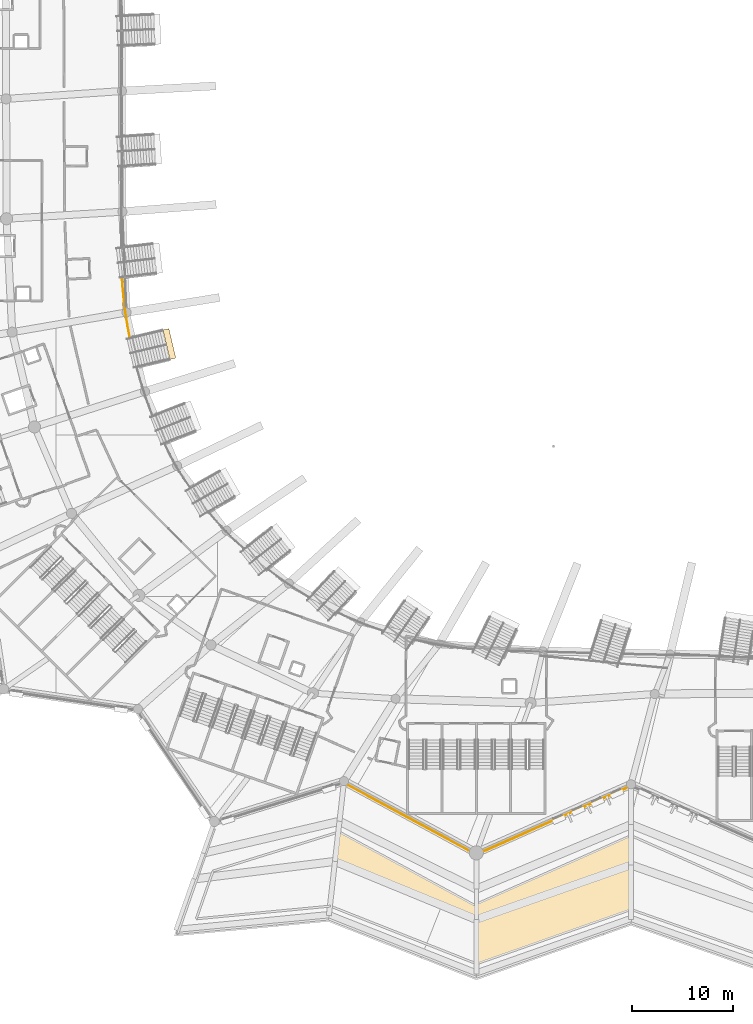
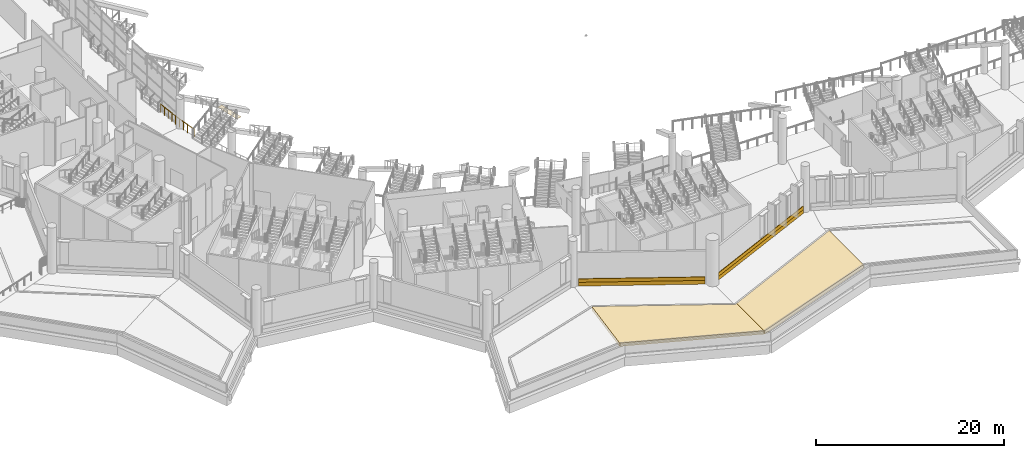
# One storey, part 115 of 173: 7 coverings, 1 railing.
"""IFC4 building model written with IfcOpenShell, lengths in metres."""

from ifc_helpers import new_model, si_unit, direction, frame, origin, origin_2d, place, context, subcontext, project, spatial, polyline, rectangle, circle, outline, extrude, material, layer, layer_set, type_object, element, save


model = new_model("IFC4")

# Units and contexts
model_context = context("Model", 3, precision=1e-05, world=origin(), true_north=direction((0.0, 1.0)))
body_context = subcontext(model_context, "Body", "Model", "MODEL_VIEW")
ifc_project = project(units=[si_unit("LENGTHUNIT", "METRE"), si_unit("AREAUNIT", "SQUARE_METRE"), si_unit("VOLUMEUNIT", "CUBIC_METRE"), si_unit("PLANEANGLEUNIT", "RADIAN"), si_unit("MASSUNIT", "GRAM", prefix="KILO")], contexts=[model_context])

# Site, building, storey
site_placement = place(None, origin())
site = spatial("IfcSite", under=ifc_project, at=site_placement, CompositionType="ELEMENT")
building_placement = place(site_placement, origin())
building = spatial("IfcBuilding", under=site, at=building_placement, Name="Meseta Stadium", CompositionType="ELEMENT")
storey_placement = place(building_placement, frame((0.0, 0.0, 18.0)))
storey = spatial("IfcBuildingStorey", under=building, at=storey_placement, Name="L03", CompositionType="ELEMENT", Elevation=18.0)

# Coverings
ifc_material_1 = material(Name="Guadarrama granite cladding", Category="masonry")
ifc_layer_1 = layer(ifc_material_1, 0.06005859375)
ifc_layer_set_1 = layer_set([ifc_layer_1], Name="Granite plinth cladding 60")
covering_type_1 = type_object("IfcCoveringType", Name="Granite plinth cladding 60", PredefinedType="CLADDING", material=ifc_layer_set_1)
covering_1_placement = place(storey_placement, frame((-45.071044921875, -101.923828125, 0.0), z_axis=(0.0, 0.0, 1.0), x_axis=(-0.879141700714, 0.476560457933, 0.0)))
element("IfcCovering", 1, at=covering_1_placement, inside=storey, type_object=covering_type_1, Name="Granite plinth L03 F43", PredefinedType="CLADDING", context=body_context, shape_type="SweptSolid", body=[
    extrude(rectangle(XDim=13.5205078125, YDim=0.06005859375, at=origin_2d()), origin(), (0.0, 0.0, 1.0), 0.5),
])
covering_2_placement = place(storey_placement, frame((-30.48974609375, -102.091064453125, 0.0), z_axis=(0.0, 0.0, 1.0), x_axis=(-0.914139367606, -0.405400069798, 0.0)))
element("IfcCovering", 2, at=covering_2_placement, inside=storey, type_object=covering_type_1, Name="Granite plinth L03 F44", PredefinedType="CLADDING", context=body_context, shape_type="SweptSolid", body=[
    extrude(rectangle(XDim=15.384521484375, YDim=0.06005859375, at=origin_2d()), origin(), (0.0, 0.0, 1.0), 0.5),
])
ifc_material_2 = material(Name="Planting soil")
ifc_layer_2 = layer(ifc_material_2, 0.449951171875)
ifc_layer_set_2 = layer_set([ifc_layer_2], Name="Planting soil 450")
covering_type_2 = type_object("IfcCoveringType", Name="Planting soil 450", PredefinedType="FLOORING", material=ifc_layer_set_2)
covering_3_placement = place(storey_placement, origin())
element("IfcCovering", 3, at=covering_3_placement, inside=storey, type_object=covering_type_2, Name="Roof garden planting bed 6.1 panel 02", PredefinedType="FLOORING", context=body_context, shape_type="SweptSolid", body=[
    extrude(outline(polyline([(-38.333251953125, -116.387451171875), (-38.333251953125, -110.48681640625), (-38.538818359375, -110.577880859375), (-51.93359375, -103.31689453125), (-52.010009765625, -103.3408203125), (-52.83740234375, -110.683349609375), (-52.79248046875, -110.67919921875), (-38.333251953125, -116.387451171875)])), origin(), (0.0, 0.0, 1.0), 0.449951171875),
])
covering_4_placement = place(storey_placement, origin())
element("IfcCovering", 4, at=covering_4_placement, inside=storey, type_object=covering_type_2, Name="Roof garden planting bed 6.1 panel 03", PredefinedType="FLOORING", context=body_context, shape_type="SweptSolid", body=[
    extrude(outline(polyline([(-38.333251953125, -110.48681640625), (-38.333251953125, -116.387451171875), (-38.303466796875, -116.399169921875), (-23.0, -111.009765625), (-23.0, -103.686767578125), (-38.333251953125, -110.48681640625)])), origin(), (0.0, 0.0, 1.0), 0.449951171875),
])

# Railing
ifc_material_3 = material(Name="Steel S355", Category="steel")
railing_type = type_object("IfcRailingType", Name="Plate edge guard 1100", PredefinedType="GUARDRAIL", material=ifc_material_3)
railing_placement = place(storey_placement, frame((-73.434814453125, -48.464111328125, 0.0)))
element("IfcRailing", 5, at=railing_placement, inside=storey, type_object=railing_type, Name="L03 inner edge guard 38", PredefinedType="GUARDRAIL", context=body_context, shape_type="SweptSolid", body=[
    extrude(circle(Radius=0.02490234375, at=origin_2d()), frame((0.0, 0.0, 1.0751953125), z_axis=(0.065669617645, -0.997841420927, 0.0), x_axis=(0.997841420927, 0.065669617645, 0.0)), (0.0, 0.0, 1.0), 0.724853515625),
    extrude(circle(Radius=0.02490234375, at=origin_2d()), frame((0.047607421875, -0.723388671875, 1.0751953125), z_axis=(0.095280129847, -0.995450499451, 0.0), x_axis=(0.995450499451, 0.095280129847, 0.0)), (0.0, 0.0, 1.0), 1.34521484375),
    extrude(circle(Radius=0.02490234375, at=origin_2d()), frame((0.17578125, -2.0625, 1.0751953125), z_axis=(0.124704937737, -0.99219387143, 0.0), x_axis=(0.99219387143, 0.124704937737, 0.0)), (0.0, 0.0, 1.0), 1.344970703125),
    extrude(circle(Radius=0.02490234375, at=origin_2d()), frame((0.343505859375, -3.39697265625, 1.0751953125), z_axis=(0.154144257928, -0.98804835294, 0.0), x_axis=(0.98804835294, 0.154144257928, 0.0)), (0.0, 0.0, 1.0), 1.3447265625),
    extrude(circle(Radius=0.02490234375, at=origin_2d()), frame((0.55078125, -4.7255859375, 1.0751953125), z_axis=(0.18318241136, -0.983078940965, 0.0), x_axis=(0.983078940965, 0.18318241136, 0.0)), (0.0, 0.0, 1.0), 1.11962890625),
    extrude(circle(Radius=0.02001953125, at=origin_2d()), origin(), (0.0, 0.0, 1.0), 1.050048828125),
    extrude(circle(Radius=0.02001953125, at=origin_2d()), frame((0.047607421875, -0.723388671875, 0.0)), (0.0, 0.0, 1.0), 1.050048828125),
    extrude(circle(Radius=0.02001953125, at=origin_2d()), frame((0.11181640625, -1.39306640625, 0.0)), (0.0, 0.0, 1.0), 1.050048828125),
    extrude(circle(Radius=0.02001953125, at=origin_2d()), frame((0.17578125, -2.0625, 0.0)), (0.0, 0.0, 1.0), 1.050048828125),
    extrude(circle(Radius=0.02001953125, at=origin_2d()), frame((0.259765625, -2.729736328125, 0.0)), (0.0, 0.0, 1.0), 1.050048828125),
    extrude(circle(Radius=0.02001953125, at=origin_2d()), frame((0.343505859375, -3.39697265625, 0.0)), (0.0, 0.0, 1.0), 1.050048828125),
    extrude(circle(Radius=0.02001953125, at=origin_2d()), frame((0.447265625, -4.061279296875, 0.0)), (0.0, 0.0, 1.0), 1.050048828125),
    extrude(circle(Radius=0.02001953125, at=origin_2d()), frame((0.55078125, -4.7255859375, 0.0)), (0.0, 0.0, 1.0), 1.050048828125),
    extrude(circle(Radius=0.02001953125, at=origin_2d()), frame((0.755859375, -5.826171875, 0.0)), (0.0, 0.0, 1.0), 1.050048828125),
])

# Coverings
ifc_material_4 = material(Name="Precast concrete C40/50, terracotta pigment", Category="masonry")
ifc_layer_3 = layer(ifc_material_4, 0.080078125)
ifc_layer_set_3 = layer_set([ifc_layer_3], Name="Precast concrete C40/50, terracotta pigment")
covering_type_3 = type_object("IfcCoveringType", Name="Terracotta precast band 80", PredefinedType="CLADDING", material=ifc_layer_set_3)
covering_5_placement = place(storey_placement, frame((-45.075927734375, -101.9326171875, 0.5), z_axis=(0.0, 0.0, 1.0), x_axis=(-0.879141700714, 0.476560457933, 0.0)))
element("IfcCovering", 6, at=covering_5_placement, inside=storey, type_object=covering_type_3, Name="Terracotta band L03 F43", PredefinedType="CLADDING", context=body_context, shape_type="SweptSolid", body=[
    extrude(rectangle(XDim=13.5205078125, YDim=0.080078125, at=origin_2d()), origin(), (0.0, 0.0, 1.0), 0.449951171875),
])
covering_6_placement = place(storey_placement, frame((-30.485595703125, -102.10009765625, 0.5), z_axis=(0.0, 0.0, 1.0), x_axis=(-0.914139367606, -0.405400069798, 0.0)))
element("IfcCovering", 7, at=covering_6_placement, inside=storey, type_object=covering_type_3, Name="Terracotta band L03 F44", PredefinedType="CLADDING", context=body_context, shape_type="SweptSolid", body=[
    extrude(rectangle(XDim=15.384521484375, YDim=0.080078125, at=origin_2d()), origin(), (0.0, 0.0, 1.0), 0.449951171875),
])
ifc_material_5 = material(Name="Stone paving", Category="masonry")
ifc_layer_4 = layer(ifc_material_5, 0.02001953125)
ifc_layer_set_4 = layer_set([ifc_layer_4], Name="Vomitory exit threshold plate 20")
covering_type_4 = type_object("IfcCoveringType", Name="Vomitory exit threshold plate 20", PredefinedType="FLOORING", material=ifc_layer_set_4)
covering_7_placement = place(storey_placement, frame((-68.74658203125, -54.975341796875, 2.330810546875), z_axis=(0.0, 0.0, 1.0), x_axis=(0.973256309483, 0.229721910255, 0.0)))
element("IfcCovering", 8, at=covering_7_placement, inside=storey, type_object=covering_type_4, Name="Vomitory V-upper-38 exit threshold", PredefinedType="FLOORING", context=body_context, shape_type="SweptSolid", body=[
    extrude(rectangle(XDim=0.60009765625, YDim=3.0, at=origin_2d()), origin(), (0.0, 0.0, 1.0), 0.02001953125),
])

save(model, "model.ifc")
